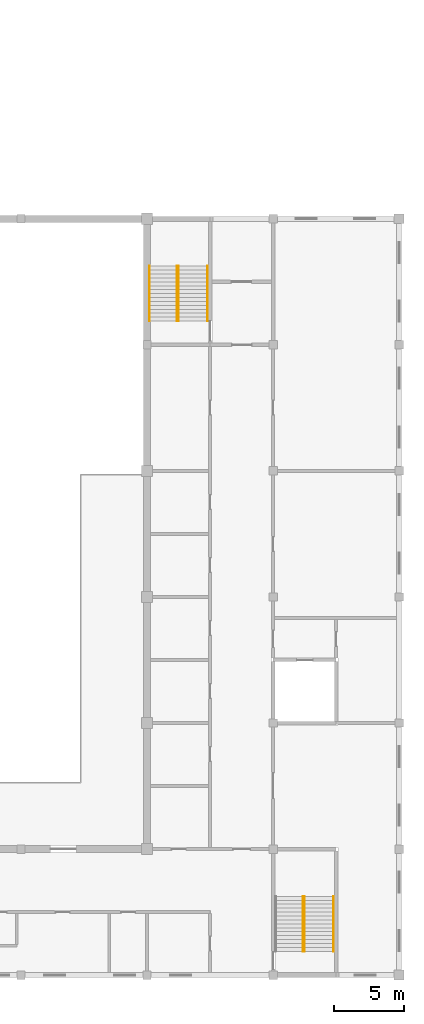
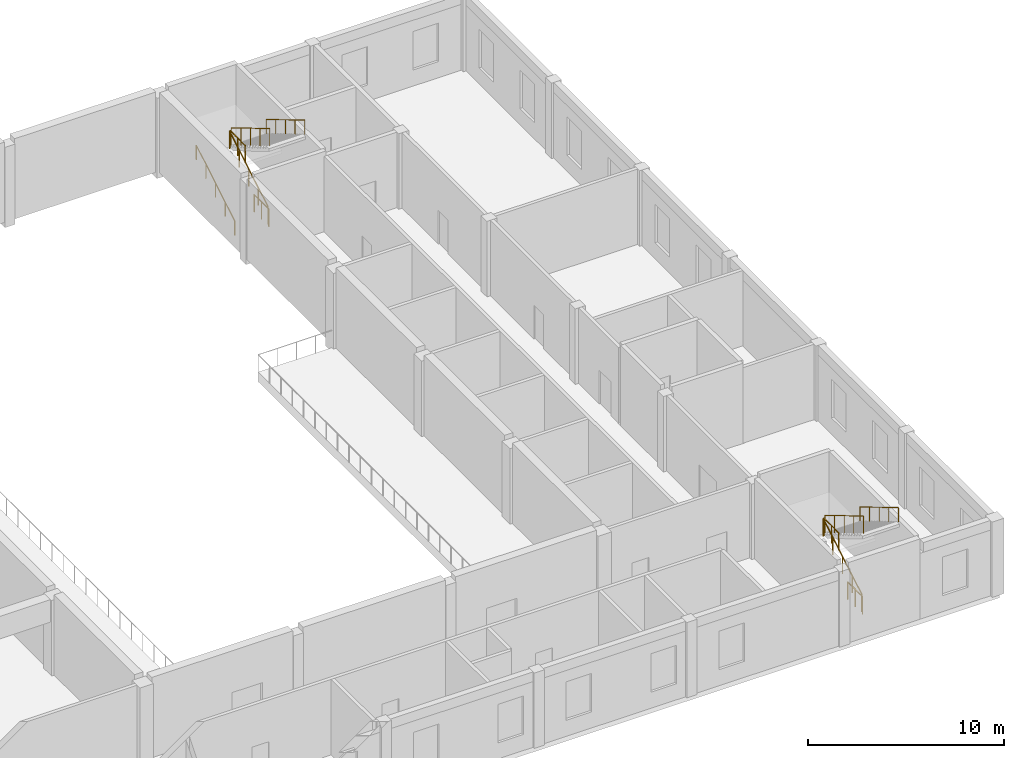
# One storey, part 33 of 34: 11 railings.
"""IFC4 building model written with IfcOpenShell, lengths in metres."""

from ifc_helpers import new_model, si_unit, direction, frame, origin, origin_2d, place, context, subcontext, project, spatial, circle, extrude, material, type_object, element, save


model = new_model("IFC4")

# Units and contexts
model_context = context("Model", 3, precision=1e-05, world=origin(), true_north=direction((0.0, 1.0)))
body_context = subcontext(model_context, "Body", "Model", "MODEL_VIEW")
ifc_project = project(units=[si_unit("LENGTHUNIT", "METRE"), si_unit("AREAUNIT", "SQUARE_METRE"), si_unit("VOLUMEUNIT", "CUBIC_METRE"), si_unit("PLANEANGLEUNIT", "RADIAN"), si_unit("MASSUNIT", "GRAM", prefix="KILO")], contexts=[model_context])

# Site, building, storey
site_placement = place(None, origin())
site = spatial("IfcSite", under=ifc_project, at=site_placement, CompositionType="ELEMENT")
building_placement = place(site_placement, origin())
building = spatial("IfcBuilding", under=site, at=building_placement, Name="Firuza Court", CompositionType="ELEMENT")
storey_placement = place(building_placement, frame((0.0, 0.0, 14.0)))
storey = spatial("IfcBuildingStorey", under=building, at=storey_placement, Name="L02", CompositionType="ELEMENT", Elevation=14.0)

# Railings
ifc_material_1 = material(Name="Steel S355", Category="steel")
railing_type_1 = type_object("IfcRailingType", Name="HALL HANDRAIL 900", PredefinedType="HANDRAIL", material=ifc_material_1)
railing_1_placement = place(storey_placement, frame((148.31005859375, -3.3798828125, 2.666748046875)))
element("IfcRailing", 1, at=railing_1_placement, inside=storey, type_object=railing_type_1, Name="Stair H2 flight 2 handrail L02", PredefinedType="HANDRAIL", context=body_context, shape_type="SweptSolid", body=[
    extrude(circle(Radius=0.02099609375, at=origin_2d()), frame((0.0, 0.0, 0.87890625), z_axis=(0.0, -0.859310244771, 0.511454693235), x_axis=(1.0, 0.0, 0.0)), (0.0, 0.0, 1.0), 4.56201171875),
    extrude(circle(Radius=0.02001953125, at=origin_2d()), origin(), (0.0, 0.0, 1.0), 0.85791015625),
    extrude(circle(Radius=0.02001953125, at=origin_2d()), frame((0.0, -0.97998046875, 0.583251953125)), (0.0, 0.0, 1.0), 0.85791015625),
    extrude(circle(Radius=0.02001953125, at=origin_2d()), frame((0.0, -1.9599609375, 1.16650390625)), (0.0, 0.0, 1.0), 0.85791015625),
    extrude(circle(Radius=0.02001953125, at=origin_2d()), frame((0.0, -2.940185546875, 1.75)), (0.0, 0.0, 1.0), 0.85791015625),
    extrude(circle(Radius=0.02001953125, at=origin_2d()), frame((0.0, -3.920166015625, 2.333251953125)), (0.0, 0.0, 1.0), 0.85791015625),
])
railing_2_placement = place(storey_placement, frame((135.18994140625, 37.699951171875, 0.166748046875)))
element("IfcRailing", 2, at=railing_2_placement, inside=storey, type_object=railing_type_1, Name="Stair H4 flight 1 handrail L02", PredefinedType="HANDRAIL", context=body_context, shape_type="SweptSolid", body=[
    extrude(circle(Radius=0.02099609375, at=origin_2d()), frame((0.0, 0.0, 0.87890625), z_axis=(0.0, 0.859310244771, 0.511454693235), x_axis=(-1.0, 0.0, 0.0)), (0.0, 0.0, 1.0), 4.56201171875),
    extrude(circle(Radius=0.02001953125, at=origin_2d()), origin(), (0.0, 0.0, 1.0), 0.85791015625),
    extrude(circle(Radius=0.02001953125, at=origin_2d()), frame((0.0, 0.97998046875, 0.583251953125)), (0.0, 0.0, 1.0), 0.85791015625),
    extrude(circle(Radius=0.02001953125, at=origin_2d()), frame((0.0, 1.9599609375, 1.16650390625)), (0.0, 0.0, 1.0), 0.85791015625),
    extrude(circle(Radius=0.02001953125, at=origin_2d()), frame((0.0, 2.940185546875, 1.75)), (0.0, 0.0, 1.0), 0.85791015625),
    extrude(circle(Radius=0.02001953125, at=origin_2d()), frame((0.0, 3.920166015625, 2.333251953125)), (0.0, 0.0, 1.0), 0.85791015625),
])
railing_3_placement = place(storey_placement, frame((139.31005859375, 41.6201171875, 2.666748046875)))
element("IfcRailing", 3, at=railing_3_placement, inside=storey, type_object=railing_type_1, Name="Stair H4 flight 2 handrail L02", PredefinedType="HANDRAIL", context=body_context, shape_type="SweptSolid", body=[
    extrude(circle(Radius=0.02099609375, at=origin_2d()), frame((0.0, 0.0, 0.87890625), z_axis=(0.0, -0.859310244771, 0.511454693235), x_axis=(1.0, 0.0, 0.0)), (0.0, 0.0, 1.0), 4.56201171875),
    extrude(circle(Radius=0.02001953125, at=origin_2d()), origin(), (0.0, 0.0, 1.0), 0.85791015625),
    extrude(circle(Radius=0.02001953125, at=origin_2d()), frame((0.0, -0.97998046875, 0.583251953125)), (0.0, 0.0, 1.0), 0.85791015625),
    extrude(circle(Radius=0.02001953125, at=origin_2d()), frame((0.0, -1.9599609375, 1.16650390625)), (0.0, 0.0, 1.0), 0.85791015625),
    extrude(circle(Radius=0.02001953125, at=origin_2d()), frame((0.0, -2.940185546875, 1.75)), (0.0, 0.0, 1.0), 0.85791015625),
    extrude(circle(Radius=0.02001953125, at=origin_2d()), frame((0.0, -3.920166015625, 2.333251953125)), (0.0, 0.0, 1.0), 0.85791015625),
])
ifc_material_2 = material(Name="Steel S355", Category="steel")
railing_type_2 = type_object("IfcRailingType", Name="HALL RAILING 1100", PredefinedType="GUARDRAIL", material=ifc_material_2)
railing_4_placement = place(storey_placement, frame((146.14990234375, -7.300048828125, 0.166748046875)))
element("IfcRailing", 4, at=railing_4_placement, inside=storey, type_object=railing_type_2, Name="Stair H2 flight 1 guard L02", PredefinedType="GUARDRAIL", context=body_context, shape_type="SweptSolid", body=[
    extrude(circle(Radius=0.02392578125, at=origin_2d()), frame((0.0, 0.0, 1.076171875), z_axis=(0.0, 0.859310244771, 0.511454693235), x_axis=(-1.0, 0.0, 0.0)), (0.0, 0.0, 1.0), 4.56201171875),
    extrude(circle(Radius=0.02099609375, at=origin_2d()), origin(), (0.0, 0.0, 1.0), 1.052001953125),
    extrude(circle(Radius=0.02099609375, at=origin_2d()), frame((0.0, 0.97998046875, 0.583251953125)), (0.0, 0.0, 1.0), 1.052001953125),
    extrude(circle(Radius=0.02099609375, at=origin_2d()), frame((0.0, 1.9599609375, 1.16650390625)), (0.0, 0.0, 1.0), 1.052001953125),
    extrude(circle(Radius=0.02099609375, at=origin_2d()), frame((0.0, 2.940185546875, 1.75)), (0.0, 0.0, 1.0), 1.052001953125),
    extrude(circle(Radius=0.02099609375, at=origin_2d()), frame((0.0, 3.920166015625, 2.333251953125)), (0.0, 0.0, 1.0), 1.052001953125),
])
railing_5_placement = place(storey_placement, frame((146.25, -3.3798828125, 2.666748046875)))
element("IfcRailing", 5, at=railing_5_placement, inside=storey, type_object=railing_type_2, Name="Stair H2 flight 2 guard L02", PredefinedType="GUARDRAIL", context=body_context, shape_type="SweptSolid", body=[
    extrude(circle(Radius=0.02392578125, at=origin_2d()), frame((0.0, 0.0, 1.076171875), z_axis=(0.0, -0.859310244771, 0.511454693235), x_axis=(1.0, 0.0, 0.0)), (0.0, 0.0, 1.0), 4.56201171875),
    extrude(circle(Radius=0.02099609375, at=origin_2d()), origin(), (0.0, 0.0, 1.0), 1.052001953125),
    extrude(circle(Radius=0.02099609375, at=origin_2d()), frame((0.0, -0.97998046875, 0.583251953125)), (0.0, 0.0, 1.0), 1.052001953125),
    extrude(circle(Radius=0.02099609375, at=origin_2d()), frame((0.0, -1.9599609375, 1.16650390625)), (0.0, 0.0, 1.0), 1.052001953125),
    extrude(circle(Radius=0.02099609375, at=origin_2d()), frame((0.0, -2.940185546875, 1.75)), (0.0, 0.0, 1.0), 1.052001953125),
    extrude(circle(Radius=0.02099609375, at=origin_2d()), frame((0.0, -3.920166015625, 2.333251953125)), (0.0, 0.0, 1.0), 1.052001953125),
])
railing_6_placement = place(storey_placement, frame((146.199951171875, -4.8798828125, 2.5)))
element("IfcRailing", 6, at=railing_6_placement, inside=storey, type_object=railing_type_2, Name="Stair H2 landing guard 1 L02", PredefinedType="GUARDRAIL", context=body_context, shape_type="SweptSolid", body=[
    extrude(circle(Radius=0.02392578125, at=origin_2d()), frame((0.0, 0.0, 1.076171875), z_axis=(0.0, 1.0, 0.0), x_axis=(-1.0, 0.0, 0.0)), (0.0, 0.0, 1.0), 1.5),
    extrude(circle(Radius=0.02099609375, at=origin_2d()), origin(), (0.0, 0.0, 1.0), 1.052001953125),
    extrude(circle(Radius=0.02099609375, at=origin_2d()), frame((0.0, 0.75, 0.0)), (0.0, 0.0, 1.0), 1.052001953125),
    extrude(circle(Radius=0.02099609375, at=origin_2d()), frame((0.0, 1.5, 0.0)), (0.0, 0.0, 1.0), 1.052001953125),
])
railing_7_placement = place(storey_placement, frame((137.14990234375, 37.699951171875, 0.166748046875)))
element("IfcRailing", 7, at=railing_7_placement, inside=storey, type_object=railing_type_2, Name="Stair H4 flight 1 guard L02", PredefinedType="GUARDRAIL", context=body_context, shape_type="SweptSolid", body=[
    extrude(circle(Radius=0.02392578125, at=origin_2d()), frame((0.0, 0.0, 1.076171875), z_axis=(0.0, 0.859310244771, 0.511454693235), x_axis=(-1.0, 0.0, 0.0)), (0.0, 0.0, 1.0), 4.56201171875),
    extrude(circle(Radius=0.02099609375, at=origin_2d()), origin(), (0.0, 0.0, 1.0), 1.052001953125),
    extrude(circle(Radius=0.02099609375, at=origin_2d()), frame((0.0, 0.97998046875, 0.583251953125)), (0.0, 0.0, 1.0), 1.052001953125),
    extrude(circle(Radius=0.02099609375, at=origin_2d()), frame((0.0, 1.9599609375, 1.16650390625)), (0.0, 0.0, 1.0), 1.052001953125),
    extrude(circle(Radius=0.02099609375, at=origin_2d()), frame((0.0, 2.940185546875, 1.75)), (0.0, 0.0, 1.0), 1.052001953125),
    extrude(circle(Radius=0.02099609375, at=origin_2d()), frame((0.0, 3.920166015625, 2.333251953125)), (0.0, 0.0, 1.0), 1.052001953125),
])
railing_8_placement = place(storey_placement, frame((137.25, 41.6201171875, 2.666748046875)))
element("IfcRailing", 8, at=railing_8_placement, inside=storey, type_object=railing_type_2, Name="Stair H4 flight 2 guard L02", PredefinedType="GUARDRAIL", context=body_context, shape_type="SweptSolid", body=[
    extrude(circle(Radius=0.02392578125, at=origin_2d()), frame((0.0, 0.0, 1.076171875), z_axis=(0.0, -0.859310244771, 0.511454693235), x_axis=(1.0, 0.0, 0.0)), (0.0, 0.0, 1.0), 4.56201171875),
    extrude(circle(Radius=0.02099609375, at=origin_2d()), origin(), (0.0, 0.0, 1.0), 1.052001953125),
    extrude(circle(Radius=0.02099609375, at=origin_2d()), frame((0.0, -0.97998046875, 0.583251953125)), (0.0, 0.0, 1.0), 1.052001953125),
    extrude(circle(Radius=0.02099609375, at=origin_2d()), frame((0.0, -1.9599609375, 1.16650390625)), (0.0, 0.0, 1.0), 1.052001953125),
    extrude(circle(Radius=0.02099609375, at=origin_2d()), frame((0.0, -2.940185546875, 1.75)), (0.0, 0.0, 1.0), 1.052001953125),
    extrude(circle(Radius=0.02099609375, at=origin_2d()), frame((0.0, -3.920166015625, 2.333251953125)), (0.0, 0.0, 1.0), 1.052001953125),
])
for number, where, name in (
    (9, (137.199951171875, 40.1201171875, 2.5), "Stair H4 landing guard 1 L02"),
    (10, (146.199951171875, -7.300048828125, 0.0), "Stair H2 floor guard L02"),
    (11, (137.199951171875, 37.699951171875, 0.0), "Stair H4 floor guard L02"),
):
    element("IfcRailing", number, at=place(storey_placement, frame(where)), inside=storey, type_object=railing_type_2, Name=name, PredefinedType="GUARDRAIL", context=body_context, shape_type="SweptSolid", body=[
        extrude(circle(Radius=0.02392578125, at=origin_2d()), frame((0.0, 0.0, 1.076171875), z_axis=(0.0, 1.0, 0.0), x_axis=(-1.0, 0.0, 0.0)), (0.0, 0.0, 1.0), 1.5),
        extrude(circle(Radius=0.02099609375, at=origin_2d()), origin(), (0.0, 0.0, 1.0), 1.052001953125),
        extrude(circle(Radius=0.02099609375, at=origin_2d()), frame((0.0, 0.75, 0.0)), (0.0, 0.0, 1.0), 1.052001953125),
        extrude(circle(Radius=0.02099609375, at=origin_2d()), frame((0.0, 1.5, 0.0)), (0.0, 0.0, 1.0), 1.052001953125),
    ])

save(model, "model.ifc")
